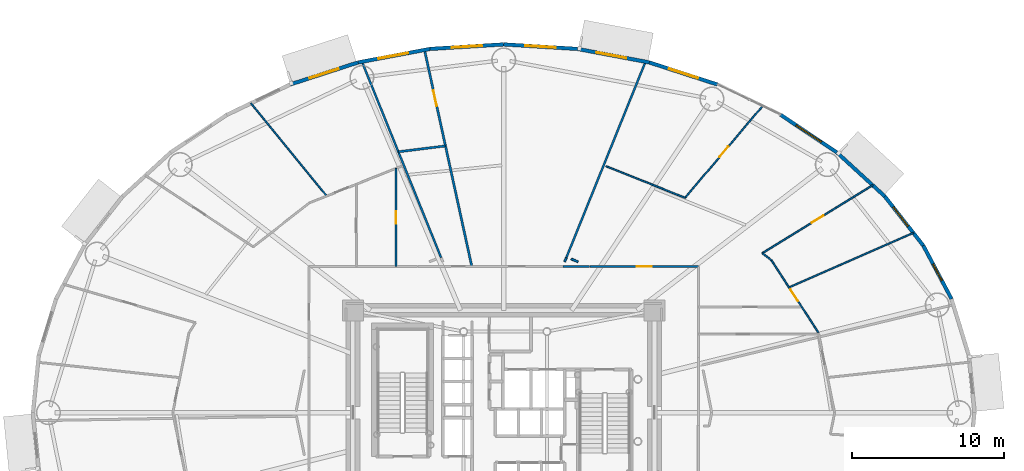
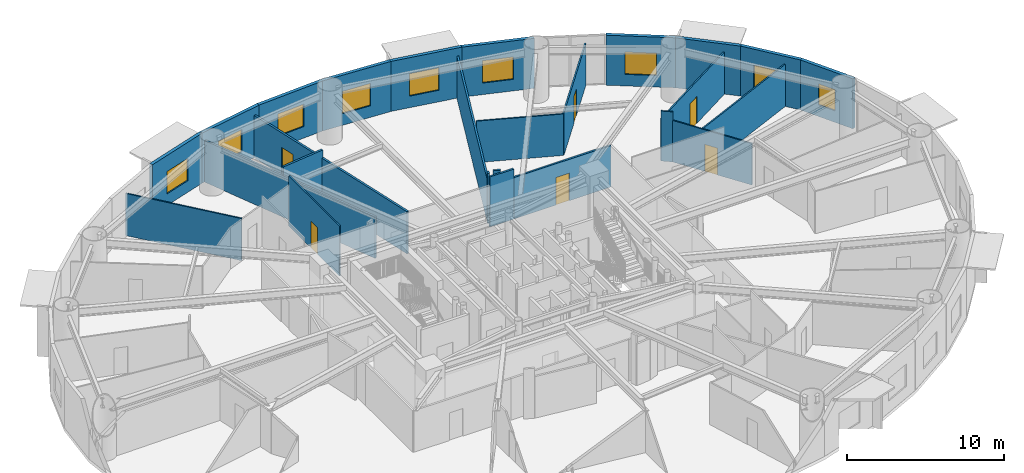
# One storey, part 13 of 21: 26 walls, 9 windows, 6 doors, 15 openings.
"""IFC4 building model written with IfcOpenShell, lengths in metres."""

from ifc_helpers import new_model, si_unit, direction, frame, frame_2d, origin, origin_2d, place, context, subcontext, project, spatial, rectangle, extrude, source, transform, mapped, material, layer, layer_set, type_object, element, fill, save


model = new_model("IFC4")

# Units and contexts
model_context = context("Model", 3, precision=1e-05, world=origin(), true_north=direction((0.0, 1.0)))
body_context = subcontext(model_context, "Body", "Model", "MODEL_VIEW")
ifc_project = project(units=[si_unit("LENGTHUNIT", "METRE"), si_unit("AREAUNIT", "SQUARE_METRE"), si_unit("VOLUMEUNIT", "CUBIC_METRE"), si_unit("PLANEANGLEUNIT", "RADIAN"), si_unit("MASSUNIT", "GRAM", prefix="KILO")], contexts=[model_context])

# Site, building, storey
site_placement = place(None, origin())
site = spatial("IfcSite", under=ifc_project, at=site_placement, CompositionType="ELEMENT")
building_placement = place(site_placement, origin())
building = spatial("IfcBuilding", under=site, at=building_placement, Name="Linh Dai School and Residence Tower", CompositionType="ELEMENT")
storey_placement = place(building_placement, frame((0.0, 0.0, 82.800048828125)))
storey = spatial("IfcBuildingStorey", under=building, at=storey_placement, Name="L19", CompositionType="ELEMENT", Elevation=82.800048828125)

# Wall, opening, window
ifc_material_1 = material(Name="Precast Concrete B45 (C35/45)", Category="concrete")
ifc_layer_1 = layer(ifc_material_1, 0.239990234375)
ifc_layer_set_1 = layer_set([ifc_layer_1], Name="Precast Concrete B45 (C35/45)")
wall_type_1 = type_object("IfcWallType", Name="EW-TC-240", PredefinedType="SOLIDWALL", material=ifc_layer_set_1)
wall_1_placement = place(storey_placement, frame((63.694580078125, 38.022705078125, 0.0), z_axis=(0.0, 0.0, 1.0), x_axis=(0.467662443071, -0.883907144072, 0.0)))
wall_1 = element("IfcWall", 1, at=wall_1_placement, inside=storey, type_object=wall_type_1, Name="L19 Terracotta Exterior Wall 03", PredefinedType="SOLIDWALL", context=body_context, shape_type="SweptSolid", body=[
    extrude(rectangle(XDim=3.983642578125, YDim=0.239990234375, at=frame_2d((1.99169921875, 0.0))), origin(), (0.0, 0.0, 1.0), 3.89990234375),
])
opening_1_placement = place(wall_1_placement, frame((1.366943359375, 0.0, 0.89990234375)))
opening_1 = element("IfcOpeningElement", 2, at=opening_1_placement, cuts=wall_1, Name="Opening W3", PredefinedType="OPENING", context=body_context, shape_type="SweptSolid", body=[
    extrude(rectangle(XDim=1.25, YDim=1.64990234375, at=origin_2d()), frame((0.625, 0.1298828125, 0.824951171875), z_axis=(0.0, -1.0, 0.0), x_axis=(1.0, 0.0, 0.0)), (0.0, 0.0, 1.0), 0.260009765625),
])
ifc_material_2 = material(Name="Double Low-E Insulated Glazing", Category="glass")
window_type_1 = type_object("IfcWindowType", Name="WN-RES-1250x1650", PartitioningType="SINGLE_PANEL", PredefinedType="WINDOW", material=ifc_material_2)
shared_shape_1 = source(origin(), body_context, "Body", "SweptSolid", [
    extrude(rectangle(XDim=1.25, YDim=1.64990234375, at=origin_2d()), frame((0.625, 0.030029296875, 0.824951171875), z_axis=(0.0, -1.0, 0.0), x_axis=(1.0, 0.0, 0.0)), (0.0, 0.0, 1.0), 0.06005859375),
])
window_1_placement = place(opening_1_placement, origin())
window_1 = element("IfcWindow", 3, at=window_1_placement, inside=storey, type_object=window_type_1, Name="L19 Dwelling Window U1905-BD1", OverallHeight=1.64990234375, OverallWidth=1.25, PartitioningType="SINGLE_PANEL", PredefinedType="WINDOW", context=body_context, shape_type="MappedRepresentation", body=[
    mapped(shared_shape_1, transform((0.0, 0.0, 0.0), x_axis=(1.0, 0.0, 0.0), y_axis=(0.0, 1.0, 0.0), z_axis=(0.0, 0.0, 1.0), scale=1.0)),
])
fill(opening_1, window_1)

wall_2_placement = place(storey_placement, frame((61.149658203125, 41.274658203125, 0.0), z_axis=(0.0, 0.0, 1.0), x_axis=(0.616295508253, -0.787514981767, 0.0)))
wall_2 = element("IfcWall", 4, at=wall_2_placement, inside=storey, type_object=wall_type_1, Name="L19 Terracotta Exterior Wall 04", PredefinedType="SOLIDWALL", context=body_context, shape_type="SweptSolid", body=[
    extrude(rectangle(XDim=4.12939453125, YDim=0.239990234375, at=frame_2d((2.064697265625, 0.0))), origin(), (0.0, 0.0, 1.0), 3.89990234375),
])
opening_2_placement = place(wall_2_placement, frame((0.908203125, 0.0, 0.89990234375)))
opening_2 = element("IfcOpeningElement", 5, at=opening_2_placement, cuts=wall_2, Name="Opening W2", PredefinedType="OPENING", context=body_context, shape_type="SweptSolid", body=[
    extrude(rectangle(XDim=1.60009765625, YDim=1.75, at=origin_2d()), frame((0.800048828125, 0.1298828125, 0.875), z_axis=(0.0, -1.0, 0.0), x_axis=(1.0, 0.0, 0.0)), (0.0, 0.0, 1.0), 0.260009765625),
])
window_type_2 = type_object("IfcWindowType", Name="WN-RES-1600x1750", PartitioningType="DOUBLE_PANEL_VERTICAL", PredefinedType="WINDOW", material=ifc_material_2)
shared_shape_2 = source(origin(), body_context, "Body", "SweptSolid", [
    extrude(rectangle(XDim=1.60009765625, YDim=1.75, at=origin_2d()), frame((0.800048828125, 0.030029296875, 0.875), z_axis=(0.0, -1.0, 0.0), x_axis=(1.0, 0.0, 0.0)), (0.0, 0.0, 1.0), 0.06005859375),
])
window_2_placement = place(opening_2_placement, origin())
window_2 = element("IfcWindow", 6, at=window_2_placement, inside=storey, type_object=window_type_2, Name="L19 Exterior Window 04.1", OverallHeight=1.75, OverallWidth=1.60009765625, PartitioningType="DOUBLE_PANEL_VERTICAL", PredefinedType="WINDOW", context=body_context, shape_type="MappedRepresentation", body=[
    mapped(shared_shape_2, transform((0.0, 0.0, 0.0), x_axis=(1.0, 0.0, 0.0), y_axis=(0.0, 1.0, 0.0), z_axis=(0.0, 0.0, 1.0), scale=1.0)),
])
fill(opening_2, window_2)

# Wall
wall_3_placement = place(storey_placement, frame((57.984619140625, 44.17626953125, 0.0), z_axis=(0.0, 0.0, 1.0), x_axis=(0.737116376281, -0.67576582321, 0.0)))
element("IfcWall", 7, at=wall_3_placement, inside=storey, type_object=wall_type_1, Name="L19 Terracotta Exterior Wall 05", PredefinedType="SOLIDWALL", context=body_context, shape_type="SweptSolid", body=[
    extrude(rectangle(XDim=4.293701171875, YDim=0.239990234375, at=frame_2d((2.14697265625, 0.0))), origin(), (0.0, 0.0, 1.0), 3.89990234375),
])

# Wall, opening, window
wall_4_placement = place(storey_placement, frame((54.277099609375, 46.65576171875, 0.0), z_axis=(0.0, 0.0, 1.0), x_axis=(0.831240982525, -0.555912249343, 0.0)))
wall_4 = element("IfcWall", 8, at=wall_4_placement, inside=storey, type_object=wall_type_1, Name="L19 Terracotta Exterior Wall 06", PredefinedType="SOLIDWALL", context=body_context, shape_type="SweptSolid", body=[
    extrude(rectangle(XDim=4.460205078125, YDim=0.239990234375, at=frame_2d((2.22998046875, 0.0))), origin(), (0.0, 0.0, 1.0), 3.89990234375),
])
opening_3_placement = place(wall_4_placement, frame((1.22998046875, 0.0, 0.89990234375)))
opening_3 = element("IfcOpeningElement", 9, at=opening_3_placement, cuts=wall_4, Name="Opening W1", PredefinedType="OPENING", context=body_context, shape_type="SweptSolid", body=[
    extrude(rectangle(XDim=2.0, YDim=1.75, at=origin_2d()), frame((1.0, 0.1298828125, 0.875), z_axis=(0.0, -1.0, 0.0), x_axis=(1.0, 0.0, 0.0)), (0.0, 0.0, 1.0), 0.260009765625),
])
window_type_3 = type_object("IfcWindowType", Name="WN-RES-2000x1750", PartitioningType="DOUBLE_PANEL_VERTICAL", PredefinedType="WINDOW", material=ifc_material_2)
shared_shape_3 = source(origin(), body_context, "Body", "SweptSolid", [
    extrude(rectangle(XDim=2.0, YDim=1.75, at=origin_2d()), frame((1.0, 0.030029296875, 0.875), z_axis=(0.0, -1.0, 0.0), x_axis=(1.0, 0.0, 0.0)), (0.0, 0.0, 1.0), 0.06005859375),
])
window_3_placement = place(opening_3_placement, origin())
window_3 = element("IfcWindow", 10, at=window_3_placement, inside=storey, type_object=window_type_3, Name="L19 Exterior Window 06.1", OverallHeight=1.75, OverallWidth=2.0, PartitioningType="DOUBLE_PANEL_VERTICAL", PredefinedType="WINDOW", context=body_context, shape_type="MappedRepresentation", body=[
    mapped(shared_shape_3, transform((0.0, 0.0, 0.0), x_axis=(1.0, 0.0, 0.0), y_axis=(0.0, 1.0, 0.0), z_axis=(0.0, 0.0, 1.0), scale=1.0)),
])
fill(opening_3, window_3)

wall_5_placement = place(storey_placement, frame((45.610595703125, 50.11328125, 0.0), z_axis=(0.0, 0.0, 1.0), x_axis=(0.951207699013, -0.308551313946, 0.0)))
wall_5 = element("IfcWall", 11, at=wall_5_placement, inside=storey, type_object=wall_type_1, Name="L19 Terracotta Exterior Wall 08", PredefinedType="SOLIDWALL", context=body_context, shape_type="SweptSolid", body=[
    extrude(rectangle(XDim=4.73876953125, YDim=0.239990234375, at=frame_2d((2.369384765625, 0.0))), origin(), (0.0, 0.0, 1.0), 3.89990234375),
])
opening_4_placement = place(wall_5_placement, frame((1.369384765625, 0.0, 0.89990234375)))
opening_4 = element("IfcOpeningElement", 12, at=opening_4_placement, cuts=wall_5, Name="Opening W1", PredefinedType="OPENING", context=body_context, shape_type="SweptSolid", body=[
    extrude(rectangle(XDim=2.0, YDim=1.75, at=origin_2d()), frame((1.0, 0.1298828125, 0.875), z_axis=(0.0, -1.0, 0.0), x_axis=(1.0, 0.0, 0.0)), (0.0, 0.0, 1.0), 0.260009765625),
])
window_4_placement = place(opening_4_placement, origin())
window_4 = element("IfcWindow", 13, at=window_4_placement, inside=storey, type_object=window_type_3, Name="L19 Exterior Window 08.1", OverallHeight=1.75, OverallWidth=2.0, PartitioningType="DOUBLE_PANEL_VERTICAL", PredefinedType="WINDOW", context=body_context, shape_type="MappedRepresentation", body=[
    mapped(shared_shape_3, transform((0.0, 0.0, 0.0), x_axis=(1.0, 0.0, 0.0), y_axis=(0.0, 1.0, 0.0), z_axis=(0.0, 0.0, 1.0), scale=1.0)),
])
fill(opening_4, window_4)

wall_6_placement = place(storey_placement, frame((40.865478515625, 51.005126953125, 0.0), z_axis=(0.0, 0.0, 1.0), x_axis=(0.982791952378, -0.184715939598, 0.0)))
wall_6 = element("IfcWall", 14, at=wall_6_placement, inside=storey, type_object=wall_type_1, Name="L19 Terracotta Exterior Wall 09", PredefinedType="SOLIDWALL", context=body_context, shape_type="SweptSolid", body=[
    extrude(rectangle(XDim=4.828125, YDim=0.239990234375, at=frame_2d((2.4140625, 0.0))), origin(), (0.0, 0.0, 1.0), 3.89990234375),
])
opening_5_placement = place(wall_6_placement, frame((1.27685546875, 0.0, 0.89990234375)))
opening_5 = element("IfcOpeningElement", 15, at=opening_5_placement, cuts=wall_6, Name="Opening W1", PredefinedType="OPENING", context=body_context, shape_type="SweptSolid", body=[
    extrude(rectangle(XDim=2.0, YDim=1.75, at=origin_2d()), frame((1.0, 0.1298828125, 0.875), z_axis=(0.0, -1.0, 0.0), x_axis=(1.0, 0.0, 0.0)), (0.0, 0.0, 1.0), 0.260009765625),
])
window_5_placement = place(opening_5_placement, origin())
window_5 = element("IfcWindow", 16, at=window_5_placement, inside=storey, type_object=window_type_3, Name="L19 Exterior Window 09.1", OverallHeight=1.75, OverallWidth=2.0, PartitioningType="DOUBLE_PANEL_VERTICAL", PredefinedType="WINDOW", context=body_context, shape_type="MappedRepresentation", body=[
    mapped(shared_shape_3, transform((0.0, 0.0, 0.0), x_axis=(1.0, 0.0, 0.0), y_axis=(0.0, 1.0, 0.0), z_axis=(0.0, 0.0, 1.0), scale=1.0)),
])
fill(opening_5, window_5)

wall_7_placement = place(storey_placement, frame((36.0, 51.304931640625, 0.0), z_axis=(0.0, 0.0, 1.0), x_axis=(0.998106954071, -0.061502099433, 0.0)))
wall_7 = element("IfcWall", 17, at=wall_7_placement, inside=storey, type_object=wall_type_1, Name="L19 Terracotta Exterior Wall 10", PredefinedType="SOLIDWALL", context=body_context, shape_type="SweptSolid", body=[
    extrude(rectangle(XDim=4.874755859375, YDim=0.239990234375, at=frame_2d((2.4375, 0.0))), origin(), (0.0, 0.0, 1.0), 3.89990234375),
])
opening_6_placement = place(wall_7_placement, frame((1.437255859375, 0.0, 0.89990234375)))
opening_6 = element("IfcOpeningElement", 18, at=opening_6_placement, cuts=wall_7, Name="Opening W1", PredefinedType="OPENING", context=body_context, shape_type="SweptSolid", body=[
    extrude(rectangle(XDim=2.0, YDim=1.75, at=origin_2d()), frame((1.0, 0.1298828125, 0.875), z_axis=(0.0, -1.0, 0.0), x_axis=(1.0, 0.0, 0.0)), (0.0, 0.0, 1.0), 0.260009765625),
])
window_6_placement = place(opening_6_placement, origin())
window_6 = element("IfcWindow", 19, at=window_6_placement, inside=storey, type_object=window_type_3, Name="L19 Exterior Window 10.1", OverallHeight=1.75, OverallWidth=2.0, PartitioningType="DOUBLE_PANEL_VERTICAL", PredefinedType="WINDOW", context=body_context, shape_type="MappedRepresentation", body=[
    mapped(shared_shape_3, transform((0.0, 0.0, 0.0), x_axis=(1.0, 0.0, 0.0), y_axis=(0.0, 1.0, 0.0), z_axis=(0.0, 0.0, 1.0), scale=1.0)),
])
fill(opening_6, window_6)

wall_8_placement = place(storey_placement, frame((31.134521484375, 51.005126953125, 0.0), z_axis=(0.0, 0.0, 1.0), x_axis=(0.998106954071, 0.061502099433, 0.0)))
wall_8 = element("IfcWall", 20, at=wall_8_placement, inside=storey, type_object=wall_type_1, Name="L19 Terracotta Exterior Wall 11", PredefinedType="SOLIDWALL", context=body_context, shape_type="SweptSolid", body=[
    extrude(rectangle(XDim=4.874755859375, YDim=0.239990234375, at=frame_2d((2.4375, 0.0))), origin(), (0.0, 0.0, 1.0), 3.89990234375),
])
opening_7_placement = place(wall_8_placement, frame((1.437255859375, 0.0, 0.89990234375)))
opening_7 = element("IfcOpeningElement", 21, at=opening_7_placement, cuts=wall_8, Name="Opening W1", PredefinedType="OPENING", context=body_context, shape_type="SweptSolid", body=[
    extrude(rectangle(XDim=2.0, YDim=1.75, at=origin_2d()), frame((1.0, 0.1298828125, 0.875), z_axis=(0.0, -1.0, 0.0), x_axis=(1.0, 0.0, 0.0)), (0.0, 0.0, 1.0), 0.260009765625),
])
window_7_placement = place(opening_7_placement, origin())
window_7 = element("IfcWindow", 22, at=window_7_placement, inside=storey, type_object=window_type_3, Name="L19 Exterior Window 11.1", OverallHeight=1.75, OverallWidth=2.0, PartitioningType="DOUBLE_PANEL_VERTICAL", PredefinedType="WINDOW", context=body_context, shape_type="MappedRepresentation", body=[
    mapped(shared_shape_3, transform((0.0, 0.0, 0.0), x_axis=(1.0, 0.0, 0.0), y_axis=(0.0, 1.0, 0.0), z_axis=(0.0, 0.0, 1.0), scale=1.0)),
])
fill(opening_7, window_7)

wall_9_placement = place(storey_placement, frame((26.389404296875, 50.11328125, 0.0), z_axis=(0.0, 0.0, 1.0), x_axis=(0.982791952378, 0.184715939598, 0.0)))
wall_9 = element("IfcWall", 23, at=wall_9_placement, inside=storey, type_object=wall_type_1, Name="L19 Terracotta Exterior Wall 12", PredefinedType="SOLIDWALL", context=body_context, shape_type="SweptSolid", body=[
    extrude(rectangle(XDim=4.828125, YDim=0.239990234375, at=frame_2d((2.4140625, 0.0))), origin(), (0.0, 0.0, 1.0), 3.89990234375),
])
opening_8_placement = place(wall_9_placement, frame((1.372802734375, 0.0, 0.89990234375)))
opening_8 = element("IfcOpeningElement", 24, at=opening_8_placement, cuts=wall_9, Name="Opening W1", PredefinedType="OPENING", context=body_context, shape_type="SweptSolid", body=[
    extrude(rectangle(XDim=2.0, YDim=1.75, at=origin_2d()), frame((1.0, 0.1298828125, 0.875), z_axis=(0.0, -1.0, 0.0), x_axis=(1.0, 0.0, 0.0)), (0.0, 0.0, 1.0), 0.260009765625),
])
window_8_placement = place(opening_8_placement, origin())
window_8 = element("IfcWindow", 25, at=window_8_placement, inside=storey, type_object=window_type_3, Name="L19 Exterior Window 12.1", OverallHeight=1.75, OverallWidth=2.0, PartitioningType="DOUBLE_PANEL_VERTICAL", PredefinedType="WINDOW", context=body_context, shape_type="MappedRepresentation", body=[
    mapped(shared_shape_3, transform((0.0, 0.0, 0.0), x_axis=(1.0, 0.0, 0.0), y_axis=(0.0, 1.0, 0.0), z_axis=(0.0, 0.0, 1.0), scale=1.0)),
])
fill(opening_8, window_8)

wall_10_placement = place(storey_placement, frame((21.8818359375, 48.651123046875, 0.0), z_axis=(0.0, 0.0, 1.0), x_axis=(0.951207699013, 0.308551313946, 0.0)))
wall_10 = element("IfcWall", 26, at=wall_10_placement, inside=storey, type_object=wall_type_1, Name="L19 Terracotta Exterior Wall 13", PredefinedType="SOLIDWALL", context=body_context, shape_type="SweptSolid", body=[
    extrude(rectangle(XDim=4.73876953125, YDim=0.239990234375, at=frame_2d((2.369384765625, 0.0))), origin(), (0.0, 0.0, 1.0), 3.89990234375),
])
opening_9_placement = place(wall_10_placement, frame((1.369384765625, 0.0, 0.89990234375)))
opening_9 = element("IfcOpeningElement", 27, at=opening_9_placement, cuts=wall_10, Name="Opening W1", PredefinedType="OPENING", context=body_context, shape_type="SweptSolid", body=[
    extrude(rectangle(XDim=2.0, YDim=1.75, at=origin_2d()), frame((1.0, 0.1298828125, 0.875), z_axis=(0.0, -1.0, 0.0), x_axis=(1.0, 0.0, 0.0)), (0.0, 0.0, 1.0), 0.260009765625),
])
window_9_placement = place(opening_9_placement, origin())
window_9 = element("IfcWindow", 28, at=window_9_placement, inside=storey, type_object=window_type_3, Name="L19 Exterior Window 13.1", OverallHeight=1.75, OverallWidth=2.0, PartitioningType="DOUBLE_PANEL_VERTICAL", PredefinedType="WINDOW", context=body_context, shape_type="MappedRepresentation", body=[
    mapped(shared_shape_3, transform((0.0, 0.0, 0.0), x_axis=(1.0, 0.0, 0.0), y_axis=(0.0, 1.0, 0.0), z_axis=(0.0, 0.0, 1.0), scale=1.0)),
])
fill(opening_9, window_9)

# Walls
ifc_material_3 = material(Name="Autoclaved Aerated Concrete Blockwork", Category="masonry")
ifc_layer_2 = layer(ifc_material_3, 0.135009765625)
ifc_layer_set_2 = layer_set([ifc_layer_2], Name="Autoclaved Aerated Concrete Blockwork")
wall_type_2 = type_object("IfcWallType", Name="IW-CORR-135-EI90", PredefinedType="PARTITIONING", material=ifc_layer_set_2)
wall_11_placement = place(storey_placement, frame((26.640625, 50.16552734375, 0.0), z_axis=(0.0, 0.0, 1.0), x_axis=(0.374600258899, -0.927186413852, 0.0)))
element("IfcWall", 29, at=wall_11_placement, inside=storey, type_object=wall_type_2, Name="L19 Interior Partition Wall 025", PredefinedType="PARTITIONING", context=body_context, shape_type="SweptSolid", body=[
    extrude(rectangle(XDim=13.944580078125, YDim=0.135009765625, at=frame_2d((6.97216796875, 0.0))), origin(), (0.0, 0.0, 1.0), 3.23486328125),
])
wall_12_placement = place(storey_placement, frame((40.1357421875, 37.236328125, 0.0), z_axis=(0.0, 0.0, 1.0), x_axis=(0.374600258899, 0.927186413852, 0.0)))
element("IfcWall", 30, at=wall_12_placement, inside=storey, type_object=wall_type_2, Name="L19 Interior Partition Wall 069", PredefinedType="PARTITIONING", context=body_context, shape_type="SweptSolid", body=[
    extrude(rectangle(XDim=13.944580078125, YDim=0.135009765625, at=frame_2d((6.97216796875, 0.0))), origin(), (0.0, 0.0, 1.0), 3.284912109375),
])

# Wall, opening, door
wall_13_placement = place(storey_placement, frame((41.6787109375, 36.64990234375, 0.0), z_axis=(0.0, 0.0, 1.0), x_axis=(1.0, 0.0, 0.0)))
wall_13 = element("IfcWall", 31, at=wall_13_placement, inside=storey, type_object=wall_type_2, Name="L19 Interior Partition Wall 075", PredefinedType="PARTITIONING", context=body_context, shape_type="SweptSolid", body=[
    extrude(rectangle(XDim=7.17138671875, YDim=0.135009765625, at=frame_2d((3.585693359375, 0.0))), origin(), (0.0, 0.0, 1.0), 3.23486328125),
])
opening_10_placement = place(wall_13_placement, frame((3.085693359375, 0.0, 0.0)))
opening_10 = element("IfcOpeningElement", 32, at=opening_10_placement, cuts=wall_13, Name="Opening D03", PredefinedType="OPENING", context=body_context, shape_type="SweptSolid", body=[
    extrude(rectangle(XDim=1.0, YDim=2.14990234375, at=origin_2d()), frame((0.5, 0.07763671875, 1.074951171875), z_axis=(0.0, -1.0, 0.0), x_axis=(1.0, 0.0, 0.0)), (0.0, 0.0, 1.0), 0.155029296875),
])
ifc_material_4 = material(Name="Fire-Rated Solid Timber Entrance Door", Category="wood")
door_type_1 = type_object("IfcDoorType", Name="DR-FLAT-1000x2150-FD60S", OperationType="NOTDEFINED", PredefinedType="DOOR", material=ifc_material_4)
shared_shape_4 = source(origin(), body_context, "Body", "SweptSolid", [
    extrude(rectangle(XDim=1.0, YDim=2.14990234375, at=origin_2d()), frame((0.5, 0.02490234375, 1.074951171875), z_axis=(0.0, -1.0, 0.0), x_axis=(1.0, 0.0, 0.0)), (0.0, 0.0, 1.0), 0.050048828125),
])
door_1_placement = place(opening_10_placement, origin())
door_1 = element("IfcDoor", 33, at=door_1_placement, inside=storey, type_object=door_type_1, Name="L19 U1905 Apartment Entrance Door", OperationType="SINGLE_SWING_LEFT", OverallHeight=2.14990234375, OverallWidth=1.0, PredefinedType="DOOR", context=body_context, shape_type="MappedRepresentation", body=[
    mapped(shared_shape_4, transform((0.0, 0.0, 0.0), x_axis=(1.0, 0.0, 0.0), y_axis=(0.0, 1.0, 0.0), z_axis=(0.0, 0.0, 1.0), scale=1.0)),
])
fill(opening_10, door_1)

# Walls
wall_14_placement = place(storey_placement, frame((39.908935546875, 36.64990234375, 0.0), z_axis=(0.0, 0.0, 1.0), x_axis=(1.0, 0.0, 0.0)))
element("IfcWall", 34, at=wall_14_placement, inside=storey, type_object=wall_type_2, Name="L19 Interior Partition Wall 113", PredefinedType="PARTITIONING", context=body_context, shape_type="SweptSolid", body=[
    extrude(rectangle(XDim=1.759765625, YDim=0.135009765625, at=frame_2d((0.8798828125, 0.0))), origin(), (0.0, 0.0, 1.0), 3.89990234375),
])
wall_15_placement = place(storey_placement, frame((40.132080078125, 37.22705078125, 0.0), z_axis=(0.0, 0.0, 1.0), x_axis=(-0.374574137078, -0.927196967118, 0.0)))
element("IfcWall", 35, at=wall_15_placement, inside=storey, type_object=wall_type_2, Name="L19 Interior Partition Wall 126", PredefinedType="PARTITIONING", context=body_context, shape_type="SweptSolid", body=[
    extrude(rectangle(XDim=0.290771484375, YDim=0.135009765625, at=frame_2d((0.1455078125, 0.0))), origin(), (0.0, 0.0, 1.0), 3.89990234375),
])
wall_16_placement = place(storey_placement, frame((40.907958984375, 36.95751953125, 0.0), z_axis=(0.0, 0.0, 1.0), x_axis=(-0.92881793224, 0.370536433768, 0.0)))
element("IfcWall", 36, at=wall_16_placement, inside=storey, type_object=wall_type_2, Name="L19 Interior Partition Wall 140", PredefinedType="PARTITIONING", context=body_context, shape_type="SweptSolid", body=[
    extrude(rectangle(XDim=0.492919921875, YDim=0.135009765625, at=frame_2d((0.24658203125, 0.0))), origin(), (0.0, 0.0, 1.0), 3.89990234375),
])
ifc_layer_3 = layer(ifc_material_3, 0.14990234375)
ifc_layer_set_3 = layer_set([ifc_layer_3], Name="Autoclaved Aerated Concrete Blockwork")
wall_type_3 = type_object("IfcWallType", Name="IW-SCH-150-EI60", PredefinedType="PARTITIONING", material=ifc_layer_set_3)
wall_17_placement = place(storey_placement, frame((29.04443359375, 44.215576171875, 0.0), z_axis=(0.0, 0.0, 1.0), x_axis=(0.992392460137, 0.12311460134, 0.0)))
element("IfcWall", 37, at=wall_17_placement, inside=storey, type_object=wall_type_3, Name="L19 Interior Partition Wall 030", PredefinedType="PARTITIONING", context=body_context, shape_type="SweptSolid", body=[
    extrude(rectangle(XDim=3.13525390625, YDim=0.14990234375, at=frame_2d((1.567626953125, 0.0))), origin(), (0.0, 0.0, 1.0), 3.89990234375),
])

# Wall, opening, door
wall_18_placement = place(storey_placement, frame((30.77099609375, 50.94189453125, 0.0), z_axis=(0.0, 0.0, 1.0), x_axis=(0.213371854648, -0.976971059778, 0.0)))
wall_18 = element("IfcWall", 38, at=wall_18_placement, inside=storey, type_object=wall_type_3, Name="L19 Interior Partition Wall 032", PredefinedType="PARTITIONING", context=body_context, shape_type="SweptSolid", body=[
    extrude(rectangle(XDim=14.628662109375, YDim=0.14990234375, at=frame_2d((7.314453125, 0.0))), origin(), (0.0, 0.0, 1.0), 3.284912109375),
])
opening_11_placement = place(wall_18_placement, frame((2.739990234375, 0.0, 0.0)))
opening_11 = element("IfcOpeningElement", 39, at=opening_11_placement, cuts=wall_18, Name="Opening D04", PredefinedType="OPENING", context=body_context, shape_type="SweptSolid", body=[
    extrude(rectangle(XDim=1.050048828125, YDim=2.14990234375, at=origin_2d()), frame((0.52490234375, 0.0849609375, 1.074951171875), z_axis=(0.0, -1.0, 0.0), x_axis=(1.0, 0.0, 0.0)), (0.0, 0.0, 1.0), 0.169921875),
])
ifc_material_5 = material(Name="Acoustic Vision-Panel Timber Classroom Door", Category="wood")
door_type_2 = type_object("IfcDoorType", Name="DR-SCH-1050x2150-FD60S", OperationType="NOTDEFINED", PredefinedType="DOOR", material=ifc_material_5)
shared_shape_5 = source(origin(), body_context, "Body", "SweptSolid", [
    extrude(rectangle(XDim=1.050048828125, YDim=2.14990234375, at=origin_2d()), frame((0.52490234375, 0.02490234375, 1.074951171875), z_axis=(0.0, -1.0, 0.0), x_axis=(1.0, 0.0, 0.0)), (0.0, 0.0, 1.0), 0.050048828125),
])
door_2_placement = place(opening_11_placement, origin())
door_2 = element("IfcDoor", 40, at=door_2_placement, inside=storey, type_object=door_type_2, Name="L19 Amenity Tea Salon Door", OperationType="SINGLE_SWING_RIGHT", OverallHeight=2.14990234375, OverallWidth=1.050048828125, PredefinedType="DOOR", context=body_context, shape_type="MappedRepresentation", body=[
    mapped(shared_shape_5, transform((0.0, 0.0, 0.0), x_axis=(1.0, 0.0, 0.0), y_axis=(0.0, 1.0, 0.0), z_axis=(0.0, 0.0, 1.0), scale=1.0)),
])
fill(opening_11, door_2)

# Wall
ifc_material_6 = material(Name="Gypsum Plasterboard Acoustic Stud Partition", Category="masonry")
ifc_layer_4 = layer(ifc_material_6, 0.10009765625)
ifc_layer_set_4 = layer_set([ifc_layer_4], Name="Gypsum Plasterboard Acoustic Stud Partition")
wall_type_4 = type_object("IfcWallType", Name="IW-UNIT-100", PredefinedType="PARTITIONING", material=ifc_layer_set_4)
wall_19_placement = place(storey_placement, frame((19.314453125, 47.4248046875, 0.0), z_axis=(0.0, 0.0, 1.0), x_axis=(0.63263945268, -0.774446462264, 0.0)))
element("IfcWall", 41, at=wall_19_placement, inside=storey, type_object=wall_type_4, Name="L19 Interior Partition Wall 014", PredefinedType="PARTITIONING", context=body_context, shape_type="SweptSolid", body=[
    extrude(rectangle(XDim=7.91259765625, YDim=0.10009765625, at=frame_2d((3.956298828125, 0.0))), origin(), (0.0, 0.0, 1.0), 3.284912109375),
])

# Wall, opening, door
wall_20_placement = place(storey_placement, frame((28.889892578125, 36.64990234375, 0.0), z_axis=(0.0, 0.0, 1.0), x_axis=(0.0, 1.0, 0.0)))
wall_20 = element("IfcWall", 42, at=wall_20_placement, inside=storey, type_object=wall_type_4, Name="L19 Interior Partition Wall 029", PredefinedType="PARTITIONING", context=body_context, shape_type="SweptSolid", body=[
    extrude(rectangle(XDim=6.469970703125, YDim=0.10009765625, at=frame_2d((3.23486328125, 0.0))), origin(), (0.0, 0.0, 1.0), 3.89990234375),
])
opening_12_placement = place(wall_20_placement, frame((2.824951171875, 0.0, 0.0)))
opening_12 = element("IfcOpeningElement", 43, at=opening_12_placement, cuts=wall_20, Name="Opening D06", PredefinedType="OPENING", context=body_context, shape_type="SweptSolid", body=[
    extrude(rectangle(XDim=0.820068359375, YDim=2.10009765625, at=origin_2d()), frame((0.41015625, 0.06005859375, 1.050048828125), z_axis=(0.0, -1.0, 0.0), x_axis=(1.0, 0.0, 0.0)), (0.0, 0.0, 1.0), 0.1201171875),
])
ifc_material_7 = material(Name="Moisture-Resistant Timber Bathroom Door", Category="wood")
door_type_3 = type_object("IfcDoorType", Name="DR-WET-820x2100", OperationType="NOTDEFINED", PredefinedType="DOOR", material=ifc_material_7)
shared_shape_6 = source(origin(), body_context, "Body", "SweptSolid", [
    extrude(rectangle(XDim=0.820068359375, YDim=2.10009765625, at=origin_2d()), frame((0.41015625, 0.02490234375, 1.050048828125), z_axis=(0.0, -1.0, 0.0), x_axis=(1.0, 0.0, 0.0)), (0.0, 0.0, 1.0), 0.050048828125),
])
door_3_placement = place(opening_12_placement, origin())
door_3 = element("IfcDoor", 44, at=door_3_placement, inside=storey, type_object=door_type_3, Name="L19 Apartment U1901 Bathroom 1 Door", OperationType="SINGLE_SWING_RIGHT", OverallHeight=2.10009765625, OverallWidth=0.820068359375, PredefinedType="DOOR", context=body_context, shape_type="MappedRepresentation", body=[
    mapped(shared_shape_6, transform((0.0, 0.0, 0.0), x_axis=(1.0, 0.0, 0.0), y_axis=(0.0, 1.0, 0.0), z_axis=(0.0, 0.0, 1.0), scale=1.0)),
])
fill(opening_12, door_3)

# Wall
wall_21_placement = place(storey_placement, frame((42.7490234375, 43.263916015625, 0.0), z_axis=(0.0, 0.0, 1.0), x_axis=(0.928808679707, -0.370559626107, 0.0)))
element("IfcWall", 45, at=wall_21_placement, inside=storey, type_object=wall_type_4, Name="L19 Interior Partition Wall 078", PredefinedType="PARTITIONING", context=body_context, shape_type="SweptSolid", body=[
    extrude(rectangle(XDim=5.623291015625, YDim=0.10009765625, at=frame_2d((2.8115234375, 0.0))), origin(), (0.0, 0.0, 1.0), 3.23486328125),
])

# Wall, opening, door
wall_22_placement = place(storey_placement, frame((47.971923828125, 41.18017578125, 0.0), z_axis=(0.0, 0.0, 1.0), x_axis=(0.645114462575, 0.764085944234, 0.0)))
wall_22 = element("IfcWall", 46, at=wall_22_placement, inside=storey, type_object=wall_type_4, Name="L19 Interior Partition Wall 082", PredefinedType="PARTITIONING", context=body_context, shape_type="SweptSolid", body=[
    extrude(rectangle(XDim=7.923095703125, YDim=0.10009765625, at=frame_2d((3.96142578125, 0.0))), origin(), (0.0, 0.0, 1.0), 3.284912109375),
])
opening_13_placement = place(wall_22_placement, frame((3.511474609375, 0.0, 0.0)))
opening_13 = element("IfcOpeningElement", 47, at=opening_13_placement, cuts=wall_22, Name="Opening D05", PredefinedType="OPENING", context=body_context, shape_type="SweptSolid", body=[
    extrude(rectangle(XDim=0.89990234375, YDim=2.10009765625, at=origin_2d()), frame((0.449951171875, 0.06005859375, 1.050048828125), z_axis=(0.0, -1.0, 0.0), x_axis=(1.0, 0.0, 0.0)), (0.0, 0.0, 1.0), 0.1201171875),
])
ifc_material_8 = material(Name="Engineered Timber Internal Door", Category="wood")
door_type_4 = type_object("IfcDoorType", Name="DR-INT-900x2100", OperationType="NOTDEFINED", PredefinedType="DOOR", material=ifc_material_8)
shared_shape_7 = source(origin(), body_context, "Body", "SweptSolid", [
    extrude(rectangle(XDim=0.89990234375, YDim=2.10009765625, at=origin_2d()), frame((0.449951171875, 0.02490234375, 1.050048828125), z_axis=(0.0, -1.0, 0.0), x_axis=(1.0, 0.0, 0.0)), (0.0, 0.0, 1.0), 0.050048828125),
])
door_4_placement = place(opening_13_placement, origin())
door_4 = element("IfcDoor", 48, at=door_4_placement, inside=storey, type_object=door_type_4, Name="L19 Apartment U1905 Principal Bedroom 2 Door", OperationType="SINGLE_SWING_RIGHT", OverallHeight=2.10009765625, OverallWidth=0.89990234375, PredefinedType="DOOR", context=body_context, shape_type="MappedRepresentation", body=[
    mapped(shared_shape_7, transform((0.0, 0.0, 0.0), x_axis=(1.0, 0.0, 0.0), y_axis=(0.0, 1.0, 0.0), z_axis=(0.0, 0.0, 1.0), scale=1.0)),
])
fill(opening_13, door_4)

# Wall
wall_23_placement = place(storey_placement, frame((53.068359375, 37.52197265625, 0.0), z_axis=(0.0, 0.0, 1.0), x_axis=(0.787383409887, -0.616463596521, 0.0)))
element("IfcWall", 49, at=wall_23_placement, inside=storey, type_object=wall_type_4, Name="L19 Interior Partition Wall 091", PredefinedType="PARTITIONING", context=body_context, shape_type="SweptSolid", body=[
    extrude(rectangle(XDim=0.7626953125, YDim=0.10009765625, at=frame_2d((0.38134765625, 0.0))), origin(), (0.0, 0.0, 1.0), 3.89990234375),
])

# Wall, opening, door
wall_24_placement = place(storey_placement, frame((53.068359375, 37.52197265625, 0.0), z_axis=(0.0, 0.0, 1.0), x_axis=(0.851237784686, 0.524780176763, 0.0)))
wall_24 = element("IfcWall", 50, at=wall_24_placement, inside=storey, type_object=wall_type_4, Name="L19 Interior Partition Wall 092", PredefinedType="PARTITIONING", context=body_context, shape_type="SweptSolid", body=[
    extrude(rectangle(XDim=8.556884765625, YDim=0.10009765625, at=frame_2d((4.2783203125, 0.0))), origin(), (0.0, 0.0, 1.0), 3.284912109375),
])
opening_14_placement = place(wall_24_placement, frame((3.828369140625, 0.0, 0.0)))
opening_14 = element("IfcOpeningElement", 51, at=opening_14_placement, cuts=wall_24, Name="Opening D05", PredefinedType="OPENING", context=body_context, shape_type="SweptSolid", body=[
    extrude(rectangle(XDim=0.89990234375, YDim=2.10009765625, at=origin_2d()), frame((0.449951171875, 0.06005859375, 1.050048828125), z_axis=(0.0, -1.0, 0.0), x_axis=(1.0, 0.0, 0.0)), (0.0, 0.0, 1.0), 0.1201171875),
])
door_5_placement = place(opening_14_placement, origin())
door_5 = element("IfcDoor", 52, at=door_5_placement, inside=storey, type_object=door_type_4, Name="L19 Apartment U1905 Study Door", OperationType="SINGLE_SWING_LEFT", OverallHeight=2.10009765625, OverallWidth=0.89990234375, PredefinedType="DOOR", context=body_context, shape_type="MappedRepresentation", body=[
    mapped(shared_shape_7, transform((0.0, 0.0, 0.0), x_axis=(1.0, 0.0, 0.0), y_axis=(0.0, 1.0, 0.0), z_axis=(0.0, 0.0, 1.0), scale=1.0)),
])
fill(opening_14, door_5)

wall_25_placement = place(storey_placement, frame((53.6689453125, 37.0517578125, 0.0), z_axis=(0.0, 0.0, 1.0), x_axis=(0.545413765252, -0.8381669432, 0.0)))
wall_25 = element("IfcWall", 53, at=wall_25_placement, inside=storey, type_object=wall_type_4, Name="L19 Interior Partition Wall 094", PredefinedType="PARTITIONING", context=body_context, shape_type="SweptSolid", body=[
    extrude(rectangle(XDim=5.6875, YDim=0.10009765625, at=frame_2d((2.84375, 0.0))), origin(), (0.0, 0.0, 1.0), 3.23486328125),
])
opening_15_placement = place(wall_25_placement, frame((2.3076171875, 0.0, 0.0)))
opening_15 = element("IfcOpeningElement", 54, at=opening_15_placement, cuts=wall_25, Name="Opening D05", PredefinedType="OPENING", context=body_context, shape_type="SweptSolid", body=[
    extrude(rectangle(XDim=0.89990234375, YDim=2.10009765625, at=origin_2d()), frame((0.449951171875, 0.06005859375, 1.050048828125), z_axis=(0.0, -1.0, 0.0), x_axis=(1.0, 0.0, 0.0)), (0.0, 0.0, 1.0), 0.1201171875),
])
door_6_placement = place(opening_15_placement, origin())
door_6 = element("IfcDoor", 55, at=door_6_placement, inside=storey, type_object=door_type_4, Name="L19 Apartment U1905 Principal Bedroom 1 Door", OperationType="SINGLE_SWING_RIGHT", OverallHeight=2.10009765625, OverallWidth=0.89990234375, PredefinedType="DOOR", context=body_context, shape_type="MappedRepresentation", body=[
    mapped(shared_shape_7, transform((0.0, 0.0, 0.0), x_axis=(1.0, 0.0, 0.0), y_axis=(0.0, 1.0, 0.0), z_axis=(0.0, 0.0, 1.0), scale=1.0)),
])
fill(opening_15, door_6)

# Wall
wall_26_placement = place(storey_placement, frame((54.8310546875, 35.265869140625, 0.0), z_axis=(0.0, 0.0, 1.0), x_axis=(0.915674102686, 0.401921556613, 0.0)))
element("IfcWall", 56, at=wall_26_placement, inside=storey, type_object=wall_type_4, Name="L19 Interior Partition Wall 096", PredefinedType="PARTITIONING", context=body_context, shape_type="SweptSolid", body=[
    extrude(rectangle(XDim=8.9638671875, YDim=0.10009765625, at=frame_2d((4.48193359375, 0.0))), origin(), (0.0, 0.0, 1.0), 3.284912109375),
])

save(model, "model.ifc")
